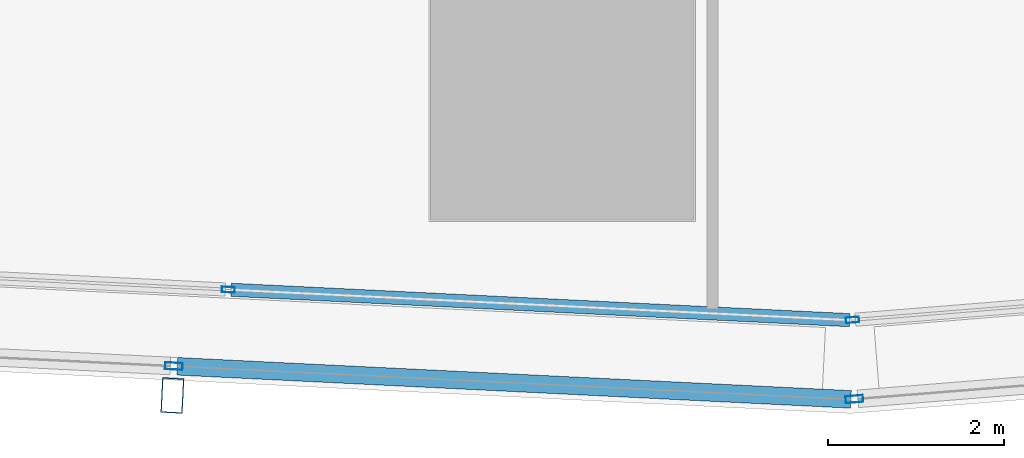
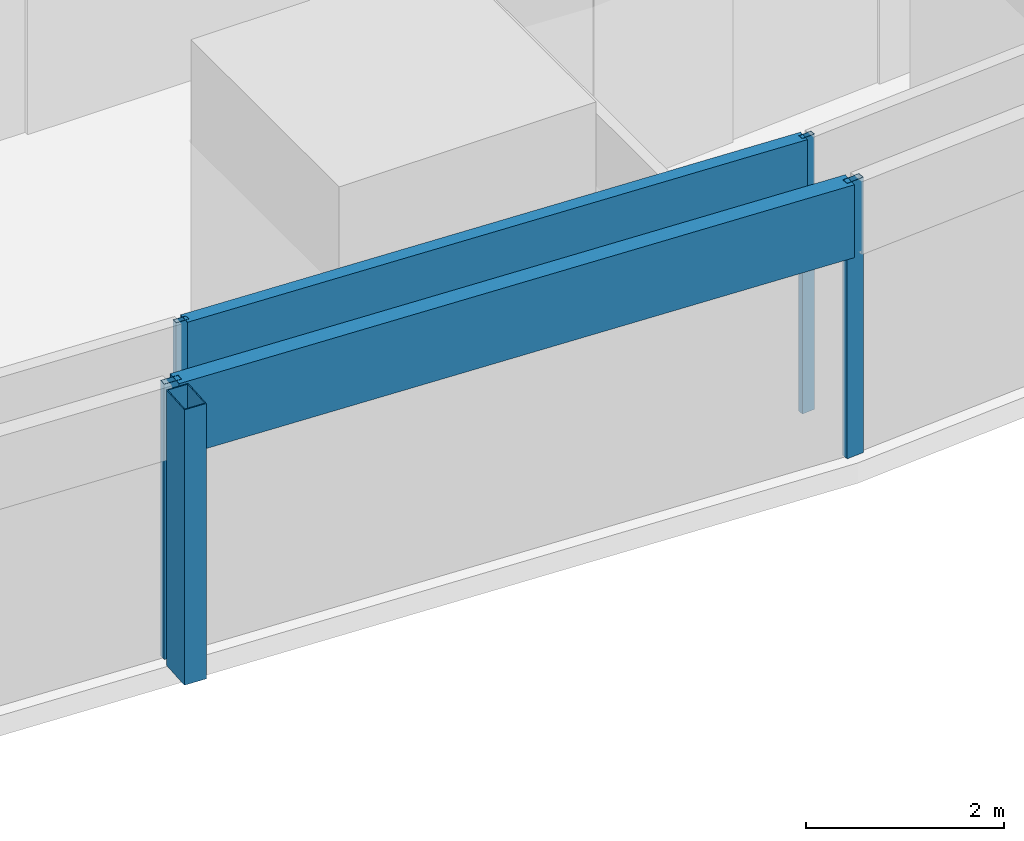
# One storey, part 9 of 44: 7 members, 4 elements without a shape of their own.
"""IFC4 building model written with IfcOpenShell, lengths in metres."""

from ifc_helpers import new_model, si_unit, direction, frame, origin, origin_2d, place, context, subcontext, project, spatial, hollow_rectangle, extrude, material, material_profile, profile_set, type_object, element, aggregate, save


model = new_model("IFC4")

# Units and contexts
model_context = context("Model", 3, precision=1e-05, world=origin(), true_north=direction((0.0, 1.0)))
body_context = subcontext(model_context, "Body", "Model", "MODEL_VIEW")
ifc_project = project(units=[si_unit("LENGTHUNIT", "METRE"), si_unit("AREAUNIT", "SQUARE_METRE"), si_unit("VOLUMEUNIT", "CUBIC_METRE"), si_unit("PLANEANGLEUNIT", "RADIAN"), si_unit("MASSUNIT", "GRAM", prefix="KILO")], contexts=[model_context])

# Site, building, storey
site_placement = place(None, origin())
site = spatial("IfcSite", under=ifc_project, at=site_placement, CompositionType="ELEMENT")
building_placement = place(site_placement, origin())
building = spatial("IfcBuilding", under=site, at=building_placement, Name="Rekha Terrace Tower", CompositionType="ELEMENT")
storey_placement = place(building_placement, frame((0.0, 0.0, 81.64990234375)))
storey = spatial("IfcBuildingStorey", under=building, at=storey_placement, Name="L20", CompositionType="ELEMENT", Elevation=81.64990234375)

# Curtain wall, member
ifc_material_1 = material(Name="Aluminium framing", Category="aluminium")
curtain_wall_type_1 = type_object("IfcCurtainWallType", Name="CW2 double skin outer glazing", PredefinedType="USERDEFINED", material=ifc_material_1)
curtain_wall_1_placement = place(storey_placement, origin())
curtain_wall_1 = element("IfcCurtainWall", 1, at=curtain_wall_1_placement, inside=storey, type_object=curtain_wall_type_1, Name="CW2 double skin outer glazing", ObjectType="DOUBLE SKIN OUTER GLAZING", PredefinedType="USERDEFINED")
ifc_material_2 = material(Name="Steel S355 with fluorocarbon finish", Category="steel")
ifc_material_profile_1 = material_profile(ifc_material_2, hollow_rectangle(XDim=0.25, YDim=0.39990234375, WallThickness=0.012451171875, at=origin_2d()), Name="RHS400x250x12.5")
ifc_profile_set_1 = profile_set([ifc_material_profile_1], Name="Steel S355 with fluorocarbon finish")
member_type_1 = type_object("IfcMemberType", Name="BL1 facade blade RHS 400 x 250", PredefinedType="USERDEFINED", material=ifc_profile_set_1)
member_1_placement = place(storey_placement, frame((37.562744140625, 4.904296875, 0.0), z_axis=(0.0, 0.0, 1.0), x_axis=(0.998796226835, -0.049051985279, 0.0)))
member_1 = element("IfcMember", 2, at=member_1_placement, type_object=member_type_1, Name="Facade blade", ObjectType="FACADE BLADE", PredefinedType="USERDEFINED", context=body_context, shape_type="SweptSolid", body=[
    extrude(hollow_rectangle(XDim=0.25, YDim=0.39990234375, WallThickness=0.012451171875, at=origin_2d()), origin(), (0.0, 0.0, 1.0), 3.400146484375),
])

curtain_wall_type_2 = type_object("IfcCurtainWallType", Name="CW1 double skin inner glazing", PredefinedType="USERDEFINED", material=ifc_material_1)
curtain_wall_2_placement = place(storey_placement, origin())
curtain_wall_2 = element("IfcCurtainWall", 3, at=curtain_wall_2_placement, inside=storey, type_object=curtain_wall_type_2, Name="CW1 double skin inner glazing", ObjectType="DOUBLE SKIN INNER GLAZING", PredefinedType="USERDEFINED")
ifc_material_3 = material(Name="Aluminium mullion section", Category="aluminium")
ifc_material_profile_2 = material_profile(ifc_material_3, hollow_rectangle(XDim=0.06494140625, YDim=0.14990234375, WallThickness=0.00390625, at=origin_2d()), Name="AL RHS 65x150")
ifc_profile_set_2 = profile_set([ifc_material_profile_2], Name="Aluminium mullion section")
member_type_2 = type_object("IfcMemberType", Name="CW1 mullion RHS 65 x 150", PredefinedType="MULLION", material=ifc_profile_set_2)
member_2_placement = place(storey_placement, frame((38.19873046875, 6.109375, 0.0), z_axis=(0.0, 0.0, 1.0), x_axis=(0.049051717763, 0.998796239973, 0.0)))
member_2 = element("IfcMember", 4, at=member_2_placement, type_object=member_type_2, Name="CW1 mullion 3", PredefinedType="MULLION", context=body_context, shape_type="SweptSolid", body=[
    extrude(hollow_rectangle(XDim=0.06494140625, YDim=0.14990234375, WallThickness=0.00390625, at=origin_2d()), origin(), (0.0, 0.0, 1.0), 3.400146484375),
])

curtain_wall_3_placement = place(storey_placement, origin())
curtain_wall_3 = element("IfcCurtainWall", 5, at=curtain_wall_3_placement, inside=storey, type_object=curtain_wall_type_2, Name="CW1 double skin inner glazing", ObjectType="DOUBLE SKIN INNER GLAZING", PredefinedType="USERDEFINED")
member_3_placement = place(storey_placement, frame((45.303955078125, 5.7646484375, 0.0), z_axis=(0.0, 0.0, 1.0), x_axis=(-0.079872204468, 0.996805111821, 0.0)))
member_3 = element("IfcMember", 6, at=member_3_placement, type_object=member_type_2, Name="CW1 mullion 1", PredefinedType="MULLION", context=body_context, shape_type="SweptSolid", body=[
    extrude(hollow_rectangle(XDim=0.06494140625, YDim=0.14990234375, WallThickness=0.00390625, at=origin_2d()), origin(), (0.0, 0.0, 1.0), 3.400146484375),
])
aggregate(curtain_wall_3, [member_3])

# Member
ifc_material_4 = material(Name="Insulated aluminium spandrel box", Category="aluminium")
ifc_material_profile_3 = material_profile(ifc_material_4, hollow_rectangle(XDim=0.14990234375, YDim=0.89990234375, WallThickness=0.0029296875, at=origin_2d()), Name="AL SPANDREL BOX 150x900")
ifc_profile_set_3 = profile_set([ifc_material_profile_3], Name="Insulated aluminium spandrel box")
member_type_3 = type_object("IfcMemberType", Name="CW1 spandrel transom 150 x 900", PredefinedType="USERDEFINED", material=ifc_profile_set_3)
member_4_placement = place(storey_placement, frame((38.231201171875, 6.10791015625, 2.9501953125), z_axis=(0.998794897621, -0.049079043241, 0.0), x_axis=(0.049079043241, 0.998794897621, 0.0)))
member_4 = element("IfcMember", 7, at=member_4_placement, type_object=member_type_3, Name="CW1 spandrel transom 3", ObjectType="TRANSOM", PredefinedType="USERDEFINED", context=body_context, shape_type="SweptSolid", body=[
    extrude(hollow_rectangle(XDim=0.14990234375, YDim=0.89990234375, WallThickness=0.0029296875, at=origin_2d()), origin(), (0.0, 0.0, 1.0), 7.048828125),
])

aggregate(curtain_wall_2, [member_2, member_4])

ifc_material_profile_4 = material_profile(ifc_material_3, hollow_rectangle(XDim=0.080078125, YDim=0.199951171875, WallThickness=0.00390625, at=origin_2d()), Name="AL RHS 80x200")
ifc_profile_set_4 = profile_set([ifc_material_profile_4], Name="Aluminium mullion section")
member_type_4 = type_object("IfcMemberType", Name="CW2 mullion RHS 80 x 200", PredefinedType="MULLION", material=ifc_profile_set_4)
member_5_placement = place(storey_placement, frame((37.5791015625, 5.23876953125, 0.0), z_axis=(0.0, 0.0, 1.0), x_axis=(0.049051717746, 0.998796239974, 0.0)))
member_5 = element("IfcMember", 8, at=member_5_placement, type_object=member_type_4, Name="CW2 mullion 5", PredefinedType="MULLION", context=body_context, shape_type="SweptSolid", body=[
    extrude(hollow_rectangle(XDim=0.080078125, YDim=0.199951171875, WallThickness=0.00390625, at=origin_2d()), origin(), (0.0, 0.0, 1.0), 3.400146484375),
])

# Curtain wall, member
curtain_wall_4_placement = place(storey_placement, origin())
curtain_wall_4 = element("IfcCurtainWall", 9, at=curtain_wall_4_placement, inside=storey, type_object=curtain_wall_type_1, Name="CW2 double skin outer glazing", ObjectType="DOUBLE SKIN OUTER GLAZING", PredefinedType="USERDEFINED")
member_6_placement = place(storey_placement, frame((45.325439453125, 4.863525390625, 0.0), z_axis=(0.0, 0.0, 1.0), x_axis=(-0.079872204468, 0.996805111821, 0.0)))
member_6 = element("IfcMember", 10, at=member_6_placement, type_object=member_type_4, Name="CW2 mullion 1", PredefinedType="MULLION", context=body_context, shape_type="SweptSolid", body=[
    extrude(hollow_rectangle(XDim=0.080078125, YDim=0.199951171875, WallThickness=0.00390625, at=origin_2d()), origin(), (0.0, 0.0, 1.0), 3.400146484375),
])
aggregate(curtain_wall_4, [member_6])

# Member
ifc_material_profile_5 = material_profile(ifc_material_4, hollow_rectangle(XDim=0.199951171875, YDim=0.89990234375, WallThickness=0.0029296875, at=origin_2d()), Name="AL SPANDREL BOX 200x900")
ifc_profile_set_5 = profile_set([ifc_material_profile_5], Name="Insulated aluminium spandrel box")
member_type_5 = type_object("IfcMemberType", Name="CW2 spandrel transom 200 x 900", PredefinedType="USERDEFINED", material=ifc_profile_set_5)
member_7_placement = place(storey_placement, frame((37.619140625, 5.23681640625, 2.9501953125), z_axis=(0.998796518042, -0.049046055373, 0.0), x_axis=(0.049046055373, 0.998796518042, 0.0)))
member_7 = element("IfcMember", 11, at=member_7_placement, type_object=member_type_5, Name="CW2 spandrel transom 5", ObjectType="TRANSOM", PredefinedType="USERDEFINED", context=body_context, shape_type="SweptSolid", body=[
    extrude(hollow_rectangle(XDim=0.199951171875, YDim=0.89990234375, WallThickness=0.0029296875, at=origin_2d()), origin(), (0.0, 0.0, 1.0), 7.67578125),
])

aggregate(curtain_wall_1, [member_5, member_7, member_1])

save(model, "model.ifc")
